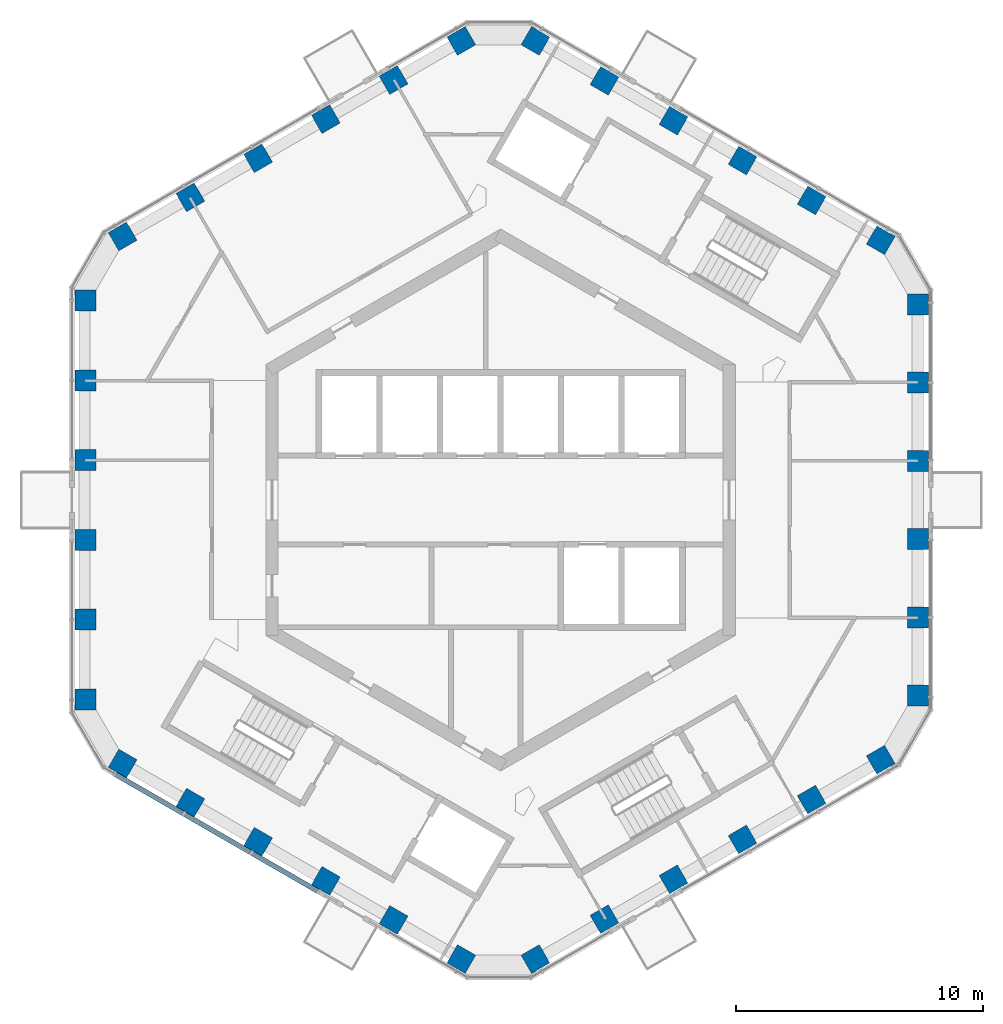
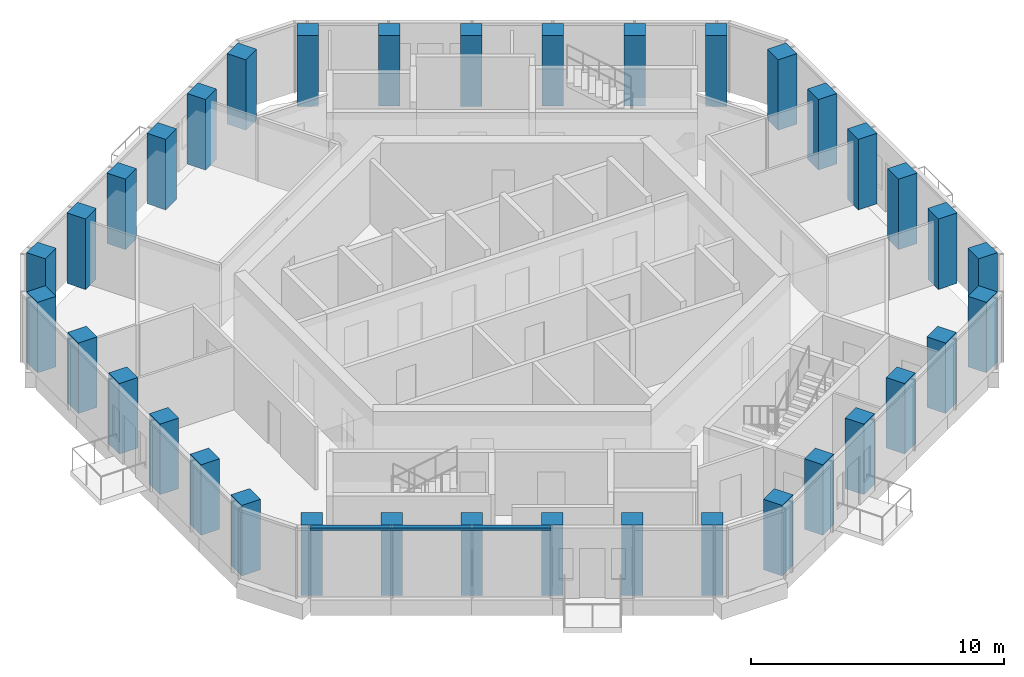
# One storey, part 1 of 19: 36 columns, 1 member, 1 element without a shape of its own.
"""IFC4 building model written with IfcOpenShell, lengths in metres."""

from ifc_helpers import new_model, si_unit, direction, frame, origin, origin_2d, place, context, subcontext, project, spatial, rectangle, extrude, material, layer, layer_set, material_profile, profile_set, type_object, element, aggregate, save


model = new_model("IFC4")

# Units and contexts
model_context = context("Model", 3, precision=1e-05, world=origin(), true_north=direction((0.0, 1.0)))
body_context = subcontext(model_context, "Body", "Model", "MODEL_VIEW")
ifc_project = project(units=[si_unit("LENGTHUNIT", "METRE"), si_unit("AREAUNIT", "SQUARE_METRE"), si_unit("VOLUMEUNIT", "CUBIC_METRE"), si_unit("PLANEANGLEUNIT", "RADIAN"), si_unit("MASSUNIT", "GRAM", prefix="KILO")], contexts=[model_context])

# Site, building, storey
site_placement = place(None, origin())
site = spatial("IfcSite", under=ifc_project, at=site_placement, CompositionType="ELEMENT")
building_placement = place(site_placement, origin())
building = spatial("IfcBuilding", under=site, at=building_placement, Name="Ayvan Gate Tower", CompositionType="ELEMENT")
storey_placement = place(building_placement, frame((0.0, 0.0, 222.300048828125)))
storey = spatial("IfcBuildingStorey", under=building, at=storey_placement, Name="L59", CompositionType="ELEMENT", Elevation=222.300048828125)

# Columns
ifc_material_1 = material(Name="Concrete C50/60", Category="concrete")
ifc_material_profile_1 = material_profile(ifc_material_1, rectangle(XDim=0.85009765625, YDim=0.85009765625, at=origin_2d()), Name="RC 850x850")
ifc_profile_set_1 = profile_set([ifc_material_profile_1], Name="Concrete C50/60")
column_type = type_object("IfcColumnType", Name="Tube column RC 850x850 C50/60", PredefinedType="COLUMN", material=ifc_profile_set_1)
for number, where, z_axis, x_axis, name in (
    (1, (16.887451171875, -7.9150390625, 0.0), (0.0, 0.0, 1.0), (1.0, 0.0, 0.0), "C-T0-0-L59"),
    (2, (16.887451171875, -4.7490234375, 0.0), (0.0, 0.0, 1.0), (1.0, 0.0, 0.0), "C-T0-1-L59"),
    (3, (16.887451171875, -1.5830078125, 0.0), (0.0, 0.0, 1.0), (1.0, 0.0, 0.0), "C-T0-2-L59"),
    (4, (16.887451171875, 1.5830078125, 0.0), (0.0, 0.0, 1.0), (1.0, 0.0, 0.0), "C-T0-3-L59"),
    (5, (16.887451171875, 4.7490234375, 0.0), (0.0, 0.0, 1.0), (1.0, 0.0, 0.0), "C-T0-4-L59"),
    (6, (16.887451171875, 7.9150390625, 0.0), (0.0, 0.0, 1.0), (1.0, 0.0, 0.0), "C-T0-5-L59"),
    (7, (15.387451171875, 10.51318359375, 0.0), (0.0, 0.0, 1.0), (0.5, 0.866025403784, 0.0), "C-T1-0-L59"),
    (8, (12.59228515625, 12.127197265625, 0.0), (0.0, 0.0, 1.0), (0.5, 0.866025403784, 0.0), "C-T1-1-L59"),
    (9, (9.796875, 13.740966796875, 0.0), (0.0, 0.0, 1.0), (0.5, 0.866025403784, 0.0), "C-T1-2-L59"),
    (10, (7.00146484375, 15.354736328125, 0.0), (0.0, 0.0, 1.0), (0.5, 0.866025403784, 0.0), "C-T1-3-L59"),
    (11, (4.206298828125, 16.96875, 0.0), (0.0, 0.0, 1.0), (0.5, 0.866025403784, 0.0), "C-T1-4-L59"),
    (12, (1.410888671875, 18.58251953125, 0.0), (0.0, 0.0, 1.0), (0.5, 0.866025403784, 0.0), "C-T1-5-L59"),
    (13, (-1.589111328125, 18.58251953125, 0.0), (0.0, 0.0, 1.0), (-0.5, 0.866025403784, 0.0), "C-T2-0-L59"),
    (14, (-4.330810546875, 16.99951171875, 0.0), (0.0, 0.0, 1.0), (-0.5, 0.866025403784, 0.0), "C-T2-1-L59"),
    (15, (-7.07275390625, 15.41650390625, 0.0), (0.0, 0.0, 1.0), (-0.5, 0.866025403784, 0.0), "C-T2-2-L59"),
    (16, (-9.814697265625, 13.83349609375, 0.0), (0.0, 0.0, 1.0), (-0.5, 0.866025403784, 0.0), "C-T2-3-L59"),
    (17, (-12.556640625, 12.25048828125, 0.0), (0.0, 0.0, 1.0), (-0.5, 0.866025403784, 0.0), "C-T2-4-L59"),
    (18, (-15.298583984375, 10.66748046875, 0.0), (0.0, 0.0, 1.0), (-0.5, 0.866025403784, 0.0), "C-T2-5-L59"),
    (19, (-16.798583984375, 8.0693359375, 0.0), (0.0, 0.0, 1.0), (-1.0, 0.0, 0.0), "C-T3-0-L59"),
    (20, (-16.798583984375, 4.841552734375, 0.0), (0.0, 0.0, 1.0), (-1.0, 0.0, 0.0), "C-T3-1-L59"),
    (21, (-16.798583984375, 1.61376953125, 0.0), (0.0, 0.0, 1.0), (-1.0, 0.0, 0.0), "C-T3-2-L59"),
    (22, (-16.798583984375, -1.61376953125, 0.0), (0.0, 0.0, 1.0), (-1.0, 0.0, 0.0), "C-T3-3-L59"),
    (23, (-16.798583984375, -4.841552734375, 0.0), (0.0, 0.0, 1.0), (-1.0, 0.0, 0.0), "C-T3-4-L59"),
    (24, (-16.798583984375, -8.0693359375, 0.0), (0.0, 0.0, 1.0), (-1.0, 0.0, 0.0), "C-T3-5-L59"),
    (25, (-15.298583984375, -10.66748046875, 0.0), (0.0, 0.0, 1.0), (-0.5, -0.866025403784, 0.0), "C-T4-0-L59"),
    (26, (-12.556640625, -12.25048828125, 0.0), (0.0, 0.0, 1.0), (-0.5, -0.866025403784, 0.0), "C-T4-1-L59"),
    (27, (-9.814697265625, -13.83349609375, 0.0), (0.0, 0.0, 1.0), (-0.5, -0.866025403784, 0.0), "C-T4-2-L59"),
    (28, (-7.07275390625, -15.41650390625, 0.0), (0.0, 0.0, 1.0), (-0.5, -0.866025403784, 0.0), "C-T4-3-L59"),
    (29, (-4.330810546875, -16.99951171875, 0.0), (0.0, 0.0, 1.0), (-0.5, -0.866025403784, 0.0), "C-T4-4-L59"),
    (30, (-1.589111328125, -18.58251953125, 0.0), (0.0, 0.0, 1.0), (-0.5, -0.866025403784, 0.0), "C-T4-5-L59"),
    (31, (1.410888671875, -18.58251953125, 0.0), (0.0, 0.0, 1.0), (0.5, -0.866025403784, 0.0), "C-T5-0-L59"),
    (32, (4.206298828125, -16.96875, 0.0), (0.0, 0.0, 1.0), (0.5, -0.866025403784, 0.0), "C-T5-1-L59"),
    (33, (7.00146484375, -15.354736328125, 0.0), (0.0, 0.0, 1.0), (0.5, -0.866025403784, 0.0), "C-T5-2-L59"),
    (34, (9.796875, -13.740966796875, 0.0), (0.0, 0.0, 1.0), (0.5, -0.866025403784, 0.0), "C-T5-3-L59"),
    (35, (12.59228515625, -12.127197265625, 0.0), (0.0, 0.0, 1.0), (0.5, -0.866025403784, 0.0), "C-T5-4-L59"),
    (36, (15.387451171875, -10.51318359375, 0.0), (0.0, 0.0, 1.0), (0.5, -0.866025403784, 0.0), "C-T5-5-L59"),
):
    element("IfcColumn", number, at=place(storey_placement, frame(where, z_axis=z_axis, x_axis=x_axis)), inside=storey, type_object=column_type, Name=name, PredefinedType="COLUMN", context=body_context, shape_type="SweptSolid", body=[
        extrude(rectangle(XDim=0.85009765625, YDim=0.85009765625, at=origin_2d()), origin(), (0.0, 0.0, 1.0), 3.39990234375),
    ])

# Curtain wall, member
ifc_material_2 = material(Name="Bronze anodised aluminium", Category="aluminium")
ifc_layer = layer(ifc_material_2, 0.199951171875)
ifc_layer_set = layer_set([ifc_layer], Name="Bronze anodised aluminium")
curtain_wall_type = type_object("IfcCurtainWallType", Name="Stick curtain wall CW-2", PredefinedType="NOTDEFINED", material=ifc_layer_set)
curtain_wall_placement = place(storey_placement, origin())
curtain_wall = element("IfcCurtainWall", 37, at=curtain_wall_placement, inside=storey, type_object=curtain_wall_type, Name="Stick curtain wall CW-2 L59", PredefinedType="NOTDEFINED")
ifc_material_profile_2 = material_profile(ifc_material_2, rectangle(XDim=0.199951171875, YDim=0.1201171875, at=origin_2d()), Name="Stick curtain wall CW-2 transom 200 x 120")
ifc_profile_set_2 = profile_set([ifc_material_profile_2], Name="Bronze anodised aluminium")
member_type = type_object("IfcMemberType", Name="Stick curtain wall CW-2 transom 200 x 120", PredefinedType="USERDEFINED", material=ifc_profile_set_2)
member_placement = place(storey_placement, frame((-15.6201171875, -11.087890625, 3.33984375), z_axis=(0.866018386667, -0.500012153807, 0.0), x_axis=(0.500012153807, 0.866018386667, 0.0)))
member = element("IfcMember", 38, at=member_placement, type_object=member_type, Name="CW-2 transom 1", ObjectType="TRANSOM", PredefinedType="USERDEFINED", context=body_context, shape_type="SweptSolid", body=[
    extrude(rectangle(XDim=0.199951171875, YDim=0.1201171875, at=origin_2d()), origin(), (0.0, 0.0, 1.0), 9.531982421875),
])
aggregate(curtain_wall, [member])

save(model, "model.ifc")
